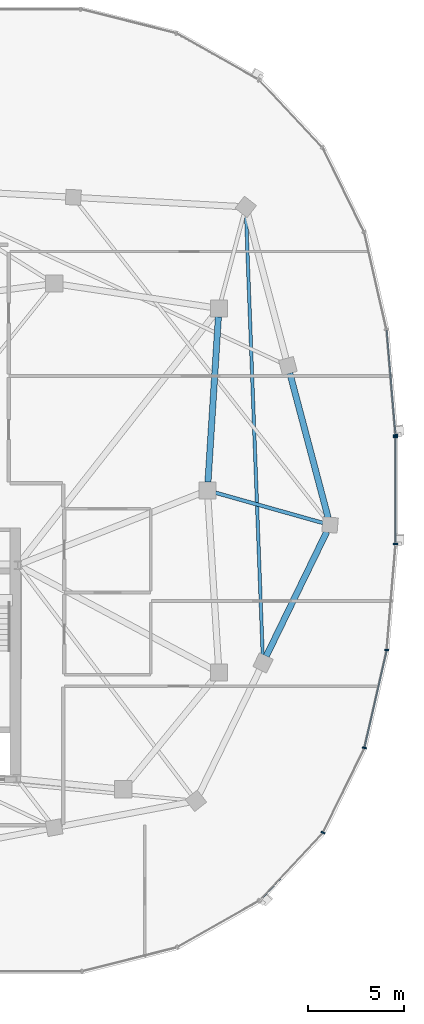
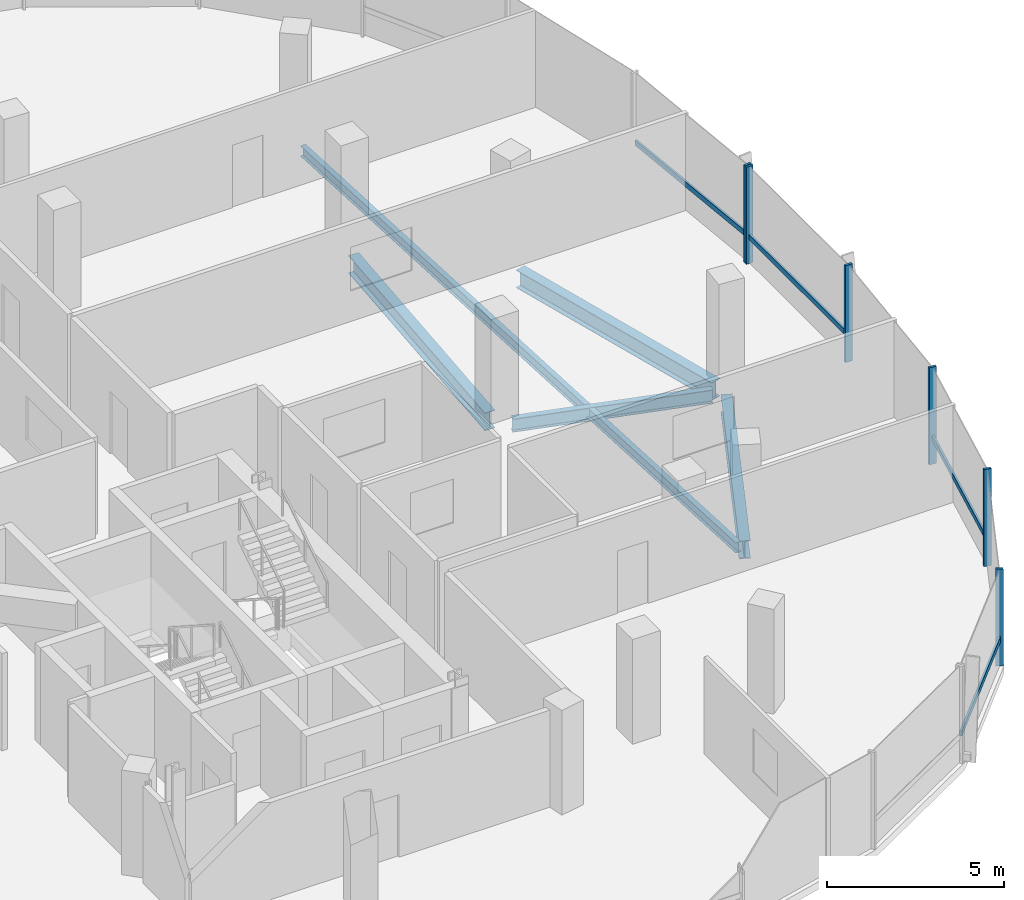
# One storey, part 9 of 26: 10 members, 5 beams, 2 elements without a shape of their own.
"""IFC4 building model written with IfcOpenShell, lengths in metres."""

from ifc_helpers import new_model, si_unit, direction, frame, origin, origin_2d, place, context, subcontext, project, spatial, rectangle, i_section, extrude, material, material_profile, profile_set, type_object, element, aggregate, save


model = new_model("IFC4")

# Units and contexts
model_context = context("Model", 3, precision=1e-05, world=origin(), true_north=direction((0.0, 1.0)))
body_context = subcontext(model_context, "Body", "Model", "MODEL_VIEW")
ifc_project = project(units=[si_unit("LENGTHUNIT", "METRE"), si_unit("AREAUNIT", "SQUARE_METRE"), si_unit("VOLUMEUNIT", "CUBIC_METRE"), si_unit("PLANEANGLEUNIT", "RADIAN"), si_unit("MASSUNIT", "GRAM", prefix="KILO"), si_unit("THERMODYNAMICTEMPERATUREUNIT", "KELVIN"), si_unit("POWERUNIT", "WATT")], contexts=[model_context])

# Site, building, storey
site_placement = place(None, origin())
site = spatial("IfcSite", under=ifc_project, at=site_placement, CompositionType="ELEMENT")
building_placement = place(site_placement, origin())
building = spatial("IfcBuilding", under=site, at=building_placement, Name="Cundina Bronze Exchange", CompositionType="ELEMENT")
storey_placement = place(building_placement, frame((0.0, 0.0, 243.199951171875)))
storey = spatial("IfcBuildingStorey", under=building, at=storey_placement, Name="L64", CompositionType="ELEMENT", Elevation=243.199951171875)

# Beams
ifc_material_1 = material(Name="Steel ASTM A992 Grade 50", Category="steel")
ifc_material_profile_1 = material_profile(ifc_material_1, i_section(OverallWidth=0.19091796875, OverallDepth=0.4599609375, WebThickness=0.010009765625, FlangeThickness=0.01611328125, FilletRadius=0.011962890625, at=origin_2d()), Name="W18X55", Category="steel")
ifc_profile_set_1 = profile_set([ifc_material_profile_1], Name="Steel ASTM A992 Grade 50")
beam_type_1 = type_object("IfcBeamType", Name="BM-FLR-W18B", PredefinedType="BEAM", material=ifc_profile_set_1)
beam_1_placement = place(storey_placement, frame((41.62158203125, -0.11865234375, -0.489990234375), z_axis=(0.962650257113, -0.270748005496, 0.0), x_axis=(0.270748005496, 0.962650257113, 0.0)))
element("IfcBeam", 1, at=beam_1_placement, inside=storey, type_object=beam_type_1, Name="L64 Leg E Chordal Floor Beam 08", PredefinedType="BEAM", context=body_context, shape_type="SweptSolid", body=[
    extrude(i_section(OverallWidth=0.19091796875, OverallDepth=0.4599609375, WebThickness=0.010009765625, FlangeThickness=0.01611328125, FilletRadius=0.011962890625, at=origin_2d()), origin(), (0.0, 0.0, 1.0), 5.822509765625),
])
ifc_material_profile_2 = material_profile(ifc_material_1, i_section(OverallWidth=0.172119140625, OverallDepth=0.35791015625, WebThickness=0.0078125, FlangeThickness=0.01318359375, FilletRadius=0.010009765625, at=origin_2d()), Name="W14X38", Category="steel")
ifc_profile_set_2 = profile_set([ifc_material_profile_2], Name="Steel ASTM A992 Grade 50")
beam_type_2 = type_object("IfcBeamType", Name="BM-JST-W14", PredefinedType="JOIST", material=ifc_profile_set_2)
beam_2_placement = place(storey_placement, frame((44.085205078125, -8.6123046875, -0.43896484375), z_axis=(-0.037784872152, 0.999285896746, 0.0), x_axis=(-0.999285896746, -0.037784872152, 0.0)))
element("IfcBeam", 2, at=beam_2_placement, inside=storey, type_object=beam_type_2, Name="L64 Leg E Lobe Floor Joist 07-10", PredefinedType="JOIST", context=body_context, shape_type="SweptSolid", body=[
    extrude(i_section(OverallWidth=0.172119140625, OverallDepth=0.35791015625, WebThickness=0.0078125, FlangeThickness=0.01318359375, FilletRadius=0.010009765625, at=origin_2d()), origin(), (0.0, 0.0, 1.0), 23.041015625),
])
ifc_material_profile_3 = material_profile(ifc_material_1, i_section(OverallWidth=0.324951171875, OverallDepth=0.615966796875, WebThickness=0.013916015625, FlangeThickness=0.021484375, FilletRadius=0.01611328125, at=origin_2d()), Name="W24X117", Category="steel")
ifc_profile_set_3 = profile_set([ifc_material_profile_3], Name="Steel ASTM A992 Grade 50")
beam_type_3 = type_object("IfcBeamType", Name="BM-RING-W24", PredefinedType="USERDEFINED", material=ifc_profile_set_3)
beam_3_placement = place(storey_placement, frame((41.2275390625, 0.43701171875, -0.56787109375), z_axis=(0.063046519736, 0.998010589297, 0.0), x_axis=(-0.998010589297, 0.063046519736, 0.0)))
element("IfcBeam", 3, at=beam_3_placement, inside=storey, type_object=beam_type_3, Name="L64 E Inner Structural Ring Girder 04", ObjectType="GIRDER", PredefinedType="USERDEFINED", context=body_context, shape_type="SweptSolid", body=[
    extrude(i_section(OverallWidth=0.324951171875, OverallDepth=0.615966796875, WebThickness=0.013916015625, FlangeThickness=0.021484375, FilletRadius=0.01611328125, at=origin_2d()), origin(), (0.0, 0.0, 1.0), 8.64306640625),
])
beam_4_placement = place(storey_placement, frame((44.26953125, -8.65087890625, -0.56787109375), z_axis=(0.437216986791, 0.899356050995, 0.0), x_axis=(-0.899356050995, 0.437216986791, 0.0)))
element("IfcBeam", 4, at=beam_4_placement, inside=storey, type_object=beam_type_3, Name="L64 E Perimeter Ring Girder 07", ObjectType="GIRDER", PredefinedType="USERDEFINED", context=body_context, shape_type="SweptSolid", body=[
    extrude(i_section(OverallWidth=0.324951171875, OverallDepth=0.615966796875, WebThickness=0.013916015625, FlangeThickness=0.021484375, FilletRadius=0.01611328125, at=origin_2d()), origin(), (0.0, 0.0, 1.0), 7.2294921875),
])
beam_5_placement = place(storey_placement, frame((47.50048828125, -1.425048828125, -0.56787109375), z_axis=(-0.256183793797, 0.966628089699, 0.0), x_axis=(-0.966628089699, -0.256183793797, 0.0)))
element("IfcBeam", 5, at=beam_5_placement, inside=storey, type_object=beam_type_3, Name="L64 E Perimeter Ring Girder 08", ObjectType="GIRDER", PredefinedType="USERDEFINED", context=body_context, shape_type="SweptSolid", body=[
    extrude(i_section(OverallWidth=0.324951171875, OverallDepth=0.615966796875, WebThickness=0.013916015625, FlangeThickness=0.021484375, FilletRadius=0.01611328125, at=origin_2d()), origin(), (0.0, 0.0, 1.0), 7.810791015625),
])

# Curtain wall, member
ifc_material_2 = material(Name="Anodised Bronze Aluminium 6063-T6", Category="aluminium")
curtain_wall_type = type_object("IfcCurtainWallType", Name="CWS-SKG-BRG", PredefinedType="NOTDEFINED", material=ifc_material_2)
curtain_wall_1_placement = place(storey_placement, origin())
curtain_wall_1 = element("IfcCurtainWall", 6, at=curtain_wall_1_placement, inside=storey, type_object=curtain_wall_type, Name="L64 CW-06 Curtain Wall Run CWR-L64-E1", PredefinedType="NOTDEFINED")
ifc_material_profile_4 = material_profile(ifc_material_2, rectangle(XDim=0.074951171875, YDim=0.219970703125, at=origin_2d()), Name="AL75X220", Category="aluminium")
ifc_profile_set_4 = profile_set([ifc_material_profile_4], Name="Anodised Bronze Aluminium 6063-T6")
member_type_1 = type_object("IfcMemberType", Name="CWM-MUL-220", PredefinedType="MULLION", material=ifc_profile_set_4)
member_1_placement = place(storey_placement, frame((51.01513671875, 2.885498046875, 0.0), z_axis=(0.0, 0.0, 1.0), x_axis=(-0.083677843332, 0.99649285925, 0.0)))
member_1 = element("IfcMember", 7, at=member_1_placement, type_object=member_type_1, Name="CW-06 Mullion 1", PredefinedType="MULLION", context=body_context, shape_type="SweptSolid", body=[
    extrude(rectangle(XDim=0.074951171875, YDim=0.219970703125, at=origin_2d()), origin(), (0.0, 0.0, 1.0), 3.340087890625),
])

# Curtain wall, members
curtain_wall_2_placement = place(storey_placement, origin())
curtain_wall_2 = element("IfcCurtainWall", 8, at=curtain_wall_2_placement, inside=storey, type_object=curtain_wall_type, Name="L64 CW-06 Curtain Wall Run CWR-L64-E4", PredefinedType="NOTDEFINED")
member_2_placement = place(storey_placement, frame((47.2333984375, -17.856689453125, 0.0), z_axis=(0.0, 0.0, 1.0), x_axis=(0.440566004113, 0.897720221461, 0.0)))
member_2 = element("IfcMember", 9, at=member_2_placement, type_object=member_type_1, Name="CW-06 Mullion 2", PredefinedType="MULLION", context=body_context, shape_type="SweptSolid", body=[
    extrude(rectangle(XDim=0.074951171875, YDim=0.219970703125, at=origin_2d()), origin(), (0.0, 0.0, 1.0), 3.340087890625),
])
member_3_placement = place(storey_placement, frame((49.39404296875, -13.433837890625, 0.0), z_axis=(0.0, 0.0, 1.0), x_axis=(0.223250116011, 0.974761194191, 0.0)))
member_3 = element("IfcMember", 10, at=member_3_placement, type_object=member_type_1, Name="CW-06 Mullion 3", PredefinedType="MULLION", context=body_context, shape_type="SweptSolid", body=[
    extrude(rectangle(XDim=0.074951171875, YDim=0.219970703125, at=origin_2d()), origin(), (0.0, 0.0, 1.0), 3.340087890625),
])
member_4_placement = place(storey_placement, frame((50.557861328125, -8.32568359375, 0.0), z_axis=(0.0, 0.0, 1.0), x_axis=(0.083677843332, 0.99649285925, 0.0)))
member_4 = element("IfcMember", 11, at=member_4_placement, type_object=member_type_1, Name="CW-06 Mullion 4", PredefinedType="MULLION", context=body_context, shape_type="SweptSolid", body=[
    extrude(rectangle(XDim=0.074951171875, YDim=0.219970703125, at=origin_2d()), origin(), (0.0, 0.0, 1.0), 3.340087890625),
])
member_5_placement = place(storey_placement, frame((51.01904296875, -2.79150390625, 0.0), z_axis=(0.0, 0.0, 1.0), x_axis=(0.0, 1.0, 0.0)))
member_5 = element("IfcMember", 12, at=member_5_placement, type_object=member_type_1, Name="CW-06 Mullion 5", PredefinedType="MULLION", context=body_context, shape_type="SweptSolid", body=[
    extrude(rectangle(XDim=0.074951171875, YDim=0.219970703125, at=origin_2d()), origin(), (0.0, 0.0, 1.0), 3.340087890625),
])
member_6_placement = place(storey_placement, frame((51.01904296875, 2.79150390625, 0.0), z_axis=(0.0, 0.0, 1.0), x_axis=(0.0, 1.0, 0.0)))
member_6 = element("IfcMember", 13, at=member_6_placement, type_object=member_type_1, Name="CW-06 End Mullion", PredefinedType="MULLION", context=body_context, shape_type="SweptSolid", body=[
    extrude(rectangle(XDim=0.074951171875, YDim=0.219970703125, at=origin_2d()), origin(), (0.0, 0.0, 1.0), 3.340087890625),
])

# Member
ifc_material_profile_5 = material_profile(ifc_material_2, rectangle(XDim=0.070068359375, YDim=0.179931640625, at=origin_2d()), Name="AL70X180", Category="aluminium")
ifc_profile_set_5 = profile_set([ifc_material_profile_5], Name="Anodised Bronze Aluminium 6063-T6")
member_type_2 = type_object("IfcMemberType", Name="CWM-TRN-180", PredefinedType="USERDEFINED", material=ifc_profile_set_5)
member_7_placement = place(storey_placement, frame((51.01171875, 2.926513671875, 0.920166015625), z_axis=(-0.083756005485, 0.996486292703, 0.0), x_axis=(-0.996486292703, -0.083756005485, 0.0)))
member_7 = element("IfcMember", 14, at=member_7_placement, type_object=member_type_2, Name="CW-06 Spandrel Transom 1", ObjectType="TRANSOM", PredefinedType="USERDEFINED", context=body_context, shape_type="SweptSolid", body=[
    extrude(rectangle(XDim=0.070068359375, YDim=0.179931640625, at=origin_2d()), origin(), (0.0, 0.0, 1.0), 5.459716796875),
])

aggregate(curtain_wall_1, [member_1, member_7])

member_8_placement = place(storey_placement, frame((43.968505859375, -21.349609375, 0.920166015625), z_axis=(0.684328474899, 0.729173873944, 0.0), x_axis=(-0.729173873944, 0.684328474899, 0.0)))
member_8 = element("IfcMember", 15, at=member_8_placement, type_object=member_type_2, Name="CW-06 Spandrel Transom 1", ObjectType="TRANSOM", PredefinedType="USERDEFINED", context=body_context, shape_type="SweptSolid", body=[
    extrude(rectangle(XDim=0.070068359375, YDim=0.179931640625, at=origin_2d()), origin(), (0.0, 0.0, 1.0), 4.758056640625),
])

member_9_placement = place(storey_placement, frame((49.4033203125, -13.3935546875, 0.920166015625), z_axis=(0.223257048806, 0.974759606343, 0.0), x_axis=(-0.974759606343, 0.223257048806, 0.0)))
member_9 = element("IfcMember", 16, at=member_9_placement, type_object=member_type_2, Name="CW-06 Spandrel Transom 3", ObjectType="TRANSOM", PredefinedType="USERDEFINED", context=body_context, shape_type="SweptSolid", body=[
    extrude(rectangle(XDim=0.070068359375, YDim=0.179931640625, at=origin_2d()), origin(), (0.0, 0.0, 1.0), 5.15283203125),
])

member_10_placement = place(storey_placement, frame((51.01904296875, -2.750244140625, 0.920166015625), z_axis=(0.0, 1.0, 0.0), x_axis=(-1.0, 0.0, 0.0)))
member_10 = element("IfcMember", 17, at=member_10_placement, type_object=member_type_2, Name="CW-06 Spandrel Transom 5", ObjectType="TRANSOM", PredefinedType="USERDEFINED", context=body_context, shape_type="SweptSolid", body=[
    extrude(rectangle(XDim=0.070068359375, YDim=0.179931640625, at=origin_2d()), origin(), (0.0, 0.0, 1.0), 5.50048828125),
])

aggregate(curtain_wall_2, [member_8, member_2, member_3, member_9, member_4, member_5, member_6, member_10])

save(model, "model.ifc")
